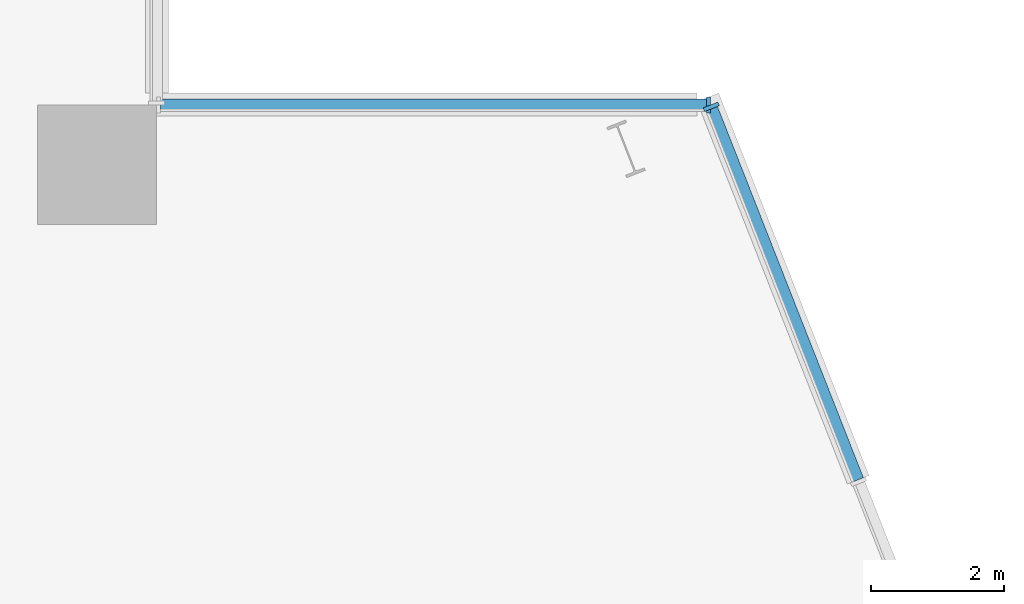
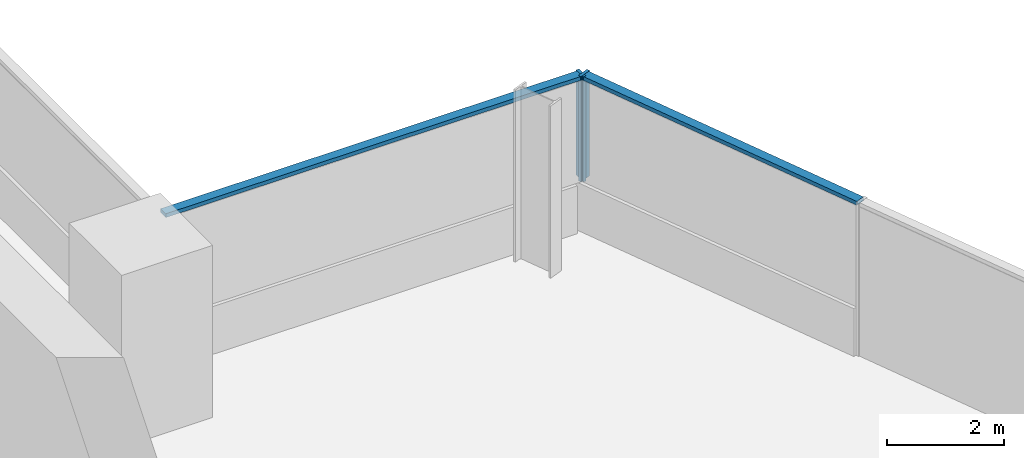
# One storey, part 11 of 30: 4 members, 2 elements without a shape of their own.
"""IFC4 building model written with IfcOpenShell, lengths in metres."""

from ifc_helpers import new_model, si_unit, direction, frame, origin, origin_2d, place, context, subcontext, project, spatial, rectangle, extrude, material, material_profile, profile_set, type_object, element, aggregate, save


model = new_model("IFC4")

# Units and contexts
model_context = context("Model", 3, precision=1e-05, world=origin(), true_north=direction((0.0, 1.0)))
body_context = subcontext(model_context, "Body", "Model", "MODEL_VIEW")
ifc_project = project(units=[si_unit("LENGTHUNIT", "METRE"), si_unit("AREAUNIT", "SQUARE_METRE"), si_unit("VOLUMEUNIT", "CUBIC_METRE"), si_unit("PLANEANGLEUNIT", "RADIAN"), si_unit("MASSUNIT", "GRAM", prefix="KILO")], contexts=[model_context])

# Site, building, storey
site_placement = place(None, origin())
site = spatial("IfcSite", under=ifc_project, at=site_placement, CompositionType="ELEMENT")
building_placement = place(site_placement, origin())
building = spatial("IfcBuilding", under=site, at=building_placement, Name="Wharfspan Tower", CompositionType="ELEMENT")
storey_placement = place(building_placement, frame((0.0, 0.0, 107.5)))
storey = spatial("IfcBuildingStorey", under=building, at=storey_placement, Name="L24", CompositionType="ELEMENT", Elevation=107.5)

# Curtain wall, member
ifc_material = material(Name="Aluminium 6063-T6", Category="aluminium")
curtain_wall_type = type_object("IfcCurtainWallType", Name="CURTAIN WALL PROW AND END", PredefinedType="NOTDEFINED", material=ifc_material)
curtain_wall_1_placement = place(storey_placement, origin())
curtain_wall_1 = element("IfcCurtainWall", 1, at=curtain_wall_1_placement, inside=storey, type_object=curtain_wall_type, Name="Curtain wall E", PredefinedType="NOTDEFINED")
ifc_material_profile_1 = material_profile(ifc_material, rectangle(XDim=0.23999, YDim=0.060059, at=origin_2d()))
ifc_profile_set_1 = profile_set([ifc_material_profile_1], Name="Aluminium 6063-T6")
member_type_1 = type_object("IfcMemberType", Name="MULLION PROW AND END 60x240", PredefinedType="MULLION", material=ifc_profile_set_1)
member_1_placement = place(storey_placement, frame((76.369141, 41.972168, 1.0), z_axis=(0.0, 0.0, 1.0), x_axis=(-0.930702, -0.365778, 0.0)))
member_1 = element("IfcMember", 2, at=member_1_placement, type_object=member_type_1, Name="Curtain wall E mullion 8", PredefinedType="MULLION", context=body_context, shape_type="SweptSolid", body=[
    extrude(rectangle(XDim=0.23999, YDim=0.060059, at=origin_2d()), origin(), (0.0, 0.0, 1.0), 2.199951),
])

curtain_wall_2_placement = place(storey_placement, origin())
curtain_wall_2 = element("IfcCurtainWall", 3, at=curtain_wall_2_placement, inside=storey, type_object=curtain_wall_type, Name="Curtain wall NRE-H", PredefinedType="NOTDEFINED")
member_2_placement = place(storey_placement, frame((76.328125, 42.0, 1.0), z_axis=(0.0, 0.0, 1.0), x_axis=(0.0, -1.0, 0.0)))
member_2 = element("IfcMember", 4, at=member_2_placement, type_object=member_type_1, Name="Curtain wall NRE-H mullion 1", PredefinedType="MULLION", context=body_context, shape_type="SweptSolid", body=[
    extrude(rectangle(XDim=0.23999, YDim=0.060059, at=origin_2d()), origin(), (0.0, 0.0, 1.0), 2.199951),
])

# Member
ifc_material_profile_2 = material_profile(ifc_material, rectangle(XDim=0.179932, YDim=0.080078, at=origin_2d()))
ifc_profile_set_2 = profile_set([ifc_material_profile_2], Name="Aluminium 6063-T6")
member_type_2 = type_object("IfcMemberType", Name="TRANSOM PROW AND END 80x180", PredefinedType="USERDEFINED", material=ifc_profile_set_2)
member_3_placement = place(storey_placement, frame((78.581787, 36.342285, 3.159912), z_axis=(-0.365789, 0.930698, 0.0), x_axis=(-0.930698, -0.365789, 0.0)))
member_3 = element("IfcMember", 5, at=member_3_placement, type_object=member_type_2, Name="Curtain wall E transom 7", ObjectType="TRANSOM", PredefinedType="USERDEFINED", context=body_context, shape_type="SweptSolid", body=[
    extrude(rectangle(XDim=0.179932, YDim=0.080078, at=origin_2d()), origin(), (0.0, 0.0, 1.0), 6.019043),
])

aggregate(curtain_wall_1, [member_1, member_3])

member_4_placement = place(storey_placement, frame((76.298096, 42.0, 3.159912), z_axis=(-1.0, 0.0, 0.0), x_axis=(0.0, -1.0, 0.0)))
member_4 = element("IfcMember", 6, at=member_4_placement, type_object=member_type_2, Name="Curtain wall NRE-H transom 1", ObjectType="TRANSOM", PredefinedType="USERDEFINED", context=body_context, shape_type="SweptSolid", body=[
    extrude(rectangle(XDim=0.179932, YDim=0.080078, at=origin_2d()), origin(), (0.0, 0.0, 1.0), 8.238037),
])

aggregate(curtain_wall_2, [member_2, member_4])

save(model, "model.ifc")
